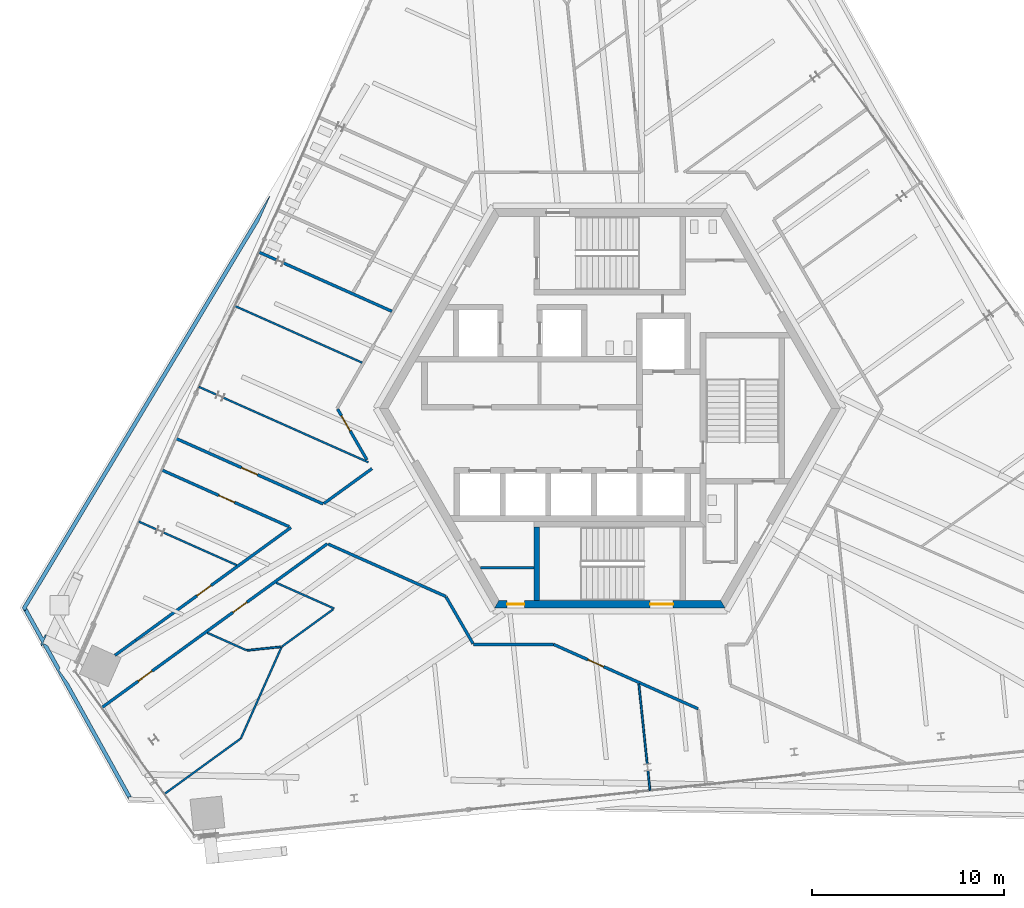
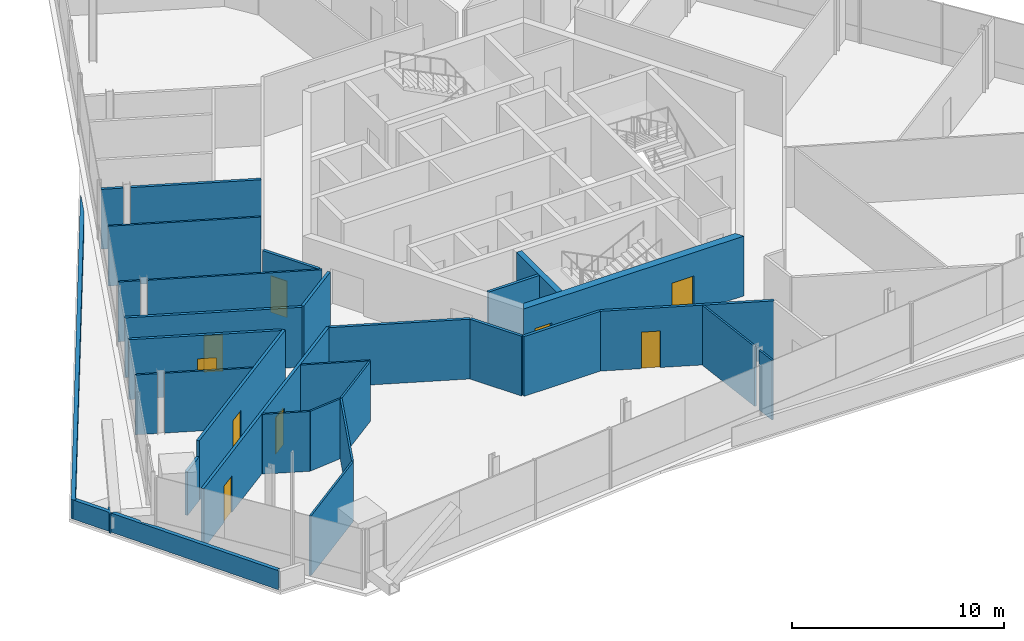
# One storey, part 13 of 21: 31 walls, 9 doors, 9 openings.
"""IFC4 building model written with IfcOpenShell, lengths in metres."""

from ifc_helpers import new_model, si_unit, direction, frame, frame_2d, origin, place, context, subcontext, project, spatial, polyline, rectangle, outline, extrude, source, transform, mapped, material, layer, layer_set, type_object, element, fill, save


model = new_model("IFC4")

# Units and contexts
model_context = context("Model", 3, precision=1e-05, world=origin(), true_north=direction((0.0, 1.0)))
body_context = subcontext(model_context, "Body", "Model", "MODEL_VIEW")
ifc_project = project(units=[si_unit("LENGTHUNIT", "METRE"), si_unit("AREAUNIT", "SQUARE_METRE"), si_unit("VOLUMEUNIT", "CUBIC_METRE"), si_unit("PLANEANGLEUNIT", "RADIAN"), si_unit("MASSUNIT", "GRAM", prefix="KILO")], contexts=[model_context])

# Site, building, storey
site_placement = place(None, origin())
site = spatial("IfcSite", under=ifc_project, at=site_placement, CompositionType="ELEMENT")
building_placement = place(site_placement, origin())
building = spatial("IfcBuilding", under=site, at=building_placement, Name="Triune Harvest Tower", CompositionType="ELEMENT")
storey_placement = place(building_placement, frame((0.0, 0.0, 219.699951171875)))
storey = spatial("IfcBuildingStorey", under=building, at=storey_placement, Name="L57", CompositionType="ELEMENT", Elevation=219.699951171875)

# Wall
ifc_material_1 = material(Name="Gypsum board on steel studs", Category="steel")
ifc_layer_1 = layer(ifc_material_1, 0.14990234375)
ifc_layer_set_1 = layer_set([ifc_layer_1], Name="Gypsum board on steel studs")
wall_type_1 = type_object("IfcWallType", Name="Fire Partition 150 mm", PredefinedType="PARTITIONING", material=ifc_layer_set_1)
wall_1_placement = place(storey_placement, frame((-14.656982421875, -7.06884765625, 0.0), z_axis=(0.0, 0.0, 1.0), x_axis=(0.913555747431, -0.406713531047, 0.0)))
element("IfcWall", 1, at=wall_1_placement, inside=storey, type_object=wall_type_1, Name="Partition L57 019", PredefinedType="PARTITIONING", context=body_context, shape_type="SweptSolid", body=[
    extrude(rectangle(XDim=6.695556640625, YDim=0.14990234375, at=frame_2d((3.34765625, 0.0))), origin(), (0.0, 0.0, 1.0), 3.43994140625),
])

# Wall, opening, door
wall_2_placement = place(storey_placement, frame((-22.59326171875, -1.56494140625, 0.0), z_axis=(0.0, 0.0, 1.0), x_axis=(0.913551263516, -0.406723602621, 0.0)))
wall_2 = element("IfcWall", 2, at=wall_2_placement, inside=storey, type_object=wall_type_1, Name="Partition L57 021", PredefinedType="PARTITIONING", context=body_context, shape_type="SweptSolid", body=[
    extrude(rectangle(XDim=8.3994140625, YDim=0.14990234375, at=frame_2d((4.19970703125, 0.0))), origin(), (0.0, 0.0, 1.0), 3.43994140625),
])
opening_1_placement = place(wall_2_placement, frame((3.74951171875, 0.0, 0.0)))
opening_1 = element("IfcOpeningElement", 3, at=opening_1_placement, cuts=wall_2, Name="Opening L57-019", PredefinedType="OPENING", context=body_context, shape_type="SweptSolid", body=[
    extrude(rectangle(XDim=0.89990234375, YDim=2.10009765625, at=frame_2d((0.449951171875, 1.050048828125))), frame((0.0, 0.0849609375, 0.0), z_axis=(0.0, -1.0, 0.0), x_axis=(1.0, 0.0, 0.0)), (0.0, 0.0, 1.0), 0.169921875),
])
ifc_material_2 = material(Name="Timber and steel door set", Category="steel")
door_type_1 = type_object("IfcDoorType", Name="Single leaf door FD30 left hand 900 x 2100", OperationType="SINGLE_SWING_LEFT", PredefinedType="DOOR", material=ifc_material_2)
door_1_placement = place(opening_1_placement, origin())
door_1 = element("IfcDoor", 4, at=door_1_placement, inside=storey, type_object=door_type_1, Name="Door L57-019 Office 57.19", OperationType="SINGLE_SWING_LEFT", OverallHeight=2.10009765625, OverallWidth=0.89990234375, PredefinedType="DOOR", context=body_context, shape_type="SweptSolid", body=[
    extrude(rectangle(XDim=0.89990234375, YDim=2.10009765625, at=frame_2d((0.449951171875, 1.050048828125))), frame((0.0, 0.02490234375, 0.0), z_axis=(0.0, -1.0, 0.0), x_axis=(1.0, 0.0, 0.0)), (0.0, 0.0, 1.0), 0.050048828125),
])
fill(opening_1, door_1)

# Wall, openings, doors
wall_3_placement = place(storey_placement, frame((-26.452392578125, -15.585205078125, 0.0), z_axis=(0.0, 0.0, 1.0), x_axis=(0.809011496706, 0.58779281911, 0.0)))
wall_3 = element("IfcWall", 5, at=wall_3_placement, inside=storey, type_object=wall_type_1, Name="Partition L57 048", PredefinedType="PARTITIONING", context=body_context, shape_type="SweptSolid", body=[
    extrude(rectangle(XDim=14.523681640625, YDim=0.14990234375, at=frame_2d((7.26171875, 0.0))), origin(), (0.0, 0.0, 1.0), 3.43994140625),
])
opening_2_placement = place(wall_3_placement, frame((8.4453125, 0.0, 0.0)))
opening_2 = element("IfcOpeningElement", 6, at=opening_2_placement, cuts=wall_3, Name="Opening L57-021", PredefinedType="OPENING", context=body_context, shape_type="SweptSolid", body=[
    extrude(rectangle(XDim=0.89990234375, YDim=2.10009765625, at=frame_2d((0.449951171875, 1.050048828125))), frame((0.0, 0.0849609375, 0.0), z_axis=(0.0, -1.0, 0.0), x_axis=(1.0, 0.0, 0.0)), (0.0, 0.0, 1.0), 0.169921875),
])
opening_3_placement = place(wall_3_placement, frame((2.349853515625, 0.0, 0.0)))
opening_3 = element("IfcOpeningElement", 7, at=opening_3_placement, cuts=wall_3, Name="Opening L57-022", PredefinedType="OPENING", context=body_context, shape_type="SweptSolid", body=[
    extrude(rectangle(XDim=0.89990234375, YDim=2.10009765625, at=frame_2d((0.449951171875, 1.050048828125))), frame((0.0, 0.0849609375, 0.0), z_axis=(0.0, -1.0, 0.0), x_axis=(1.0, 0.0, 0.0)), (0.0, 0.0, 1.0), 0.169921875),
])
door_2_placement = place(opening_2_placement, origin())
door_2 = element("IfcDoor", 8, at=door_2_placement, inside=storey, type_object=door_type_1, Name="Door L57-021 Pantry 57.21", OperationType="SINGLE_SWING_LEFT", OverallHeight=2.10009765625, OverallWidth=0.89990234375, PredefinedType="DOOR", context=body_context, shape_type="SweptSolid", body=[
    extrude(rectangle(XDim=0.89990234375, YDim=2.10009765625, at=frame_2d((0.449951171875, 1.050048828125))), frame((0.0, 0.02490234375, 0.0), z_axis=(0.0, -1.0, 0.0), x_axis=(1.0, 0.0, 0.0)), (0.0, 0.0, 1.0), 0.050048828125),
])
fill(opening_2, door_2)
ifc_material_3 = material(Name="Timber and steel door set", Category="steel")
door_type_2 = type_object("IfcDoorType", Name="Single leaf door FD30 right hand 900 x 2100", OperationType="SINGLE_SWING_RIGHT", PredefinedType="DOOR", material=ifc_material_3)
door_3_placement = place(opening_3_placement, origin())
door_3 = element("IfcDoor", 9, at=door_3_placement, inside=storey, type_object=door_type_2, Name="Door L57-022 Office 57.22", OperationType="SINGLE_SWING_RIGHT", OverallHeight=2.10009765625, OverallWidth=0.89990234375, PredefinedType="DOOR", context=body_context, shape_type="SweptSolid", body=[
    extrude(rectangle(XDim=0.89990234375, YDim=2.10009765625, at=frame_2d((0.449951171875, 1.050048828125))), frame((0.0, 0.02490234375, 0.0), z_axis=(0.0, -1.0, 0.0), x_axis=(1.0, 0.0, 0.0)), (0.0, 0.0, 1.0), 0.050048828125),
])
fill(opening_3, door_3)

# Walls
ifc_material_4 = material(Name="Concrete 40 MPa", Category="concrete")
ifc_layer_2 = layer(ifc_material_4, 0.199951171875)
ifc_layer_set_2 = layer_set([ifc_layer_2], Name="Concrete 40 MPa")
wall_type_2 = type_object("IfcWallType", Name="PA-1 parapet 200", PredefinedType="PARAPET", material=ifc_layer_set_2)
wall_4_placement = place(storey_placement, origin())
element("IfcWall", 10, at=wall_4_placement, inside=storey, type_object=wall_type_2, Name="Parapet wedge L56 2.2", PredefinedType="PARAPET", context=body_context, shape_type="SweptSolid", body=[
    extrude(outline(polyline([(-17.72509765625, 11.03564453125), (-17.700439453125, 11.022705078125), (-18.275146484375, 9.731689453125), (-30.359619140625, -10.3798828125), (-30.348388671875, -10.39990234375), (-30.431396484375, -10.53857421875), (-30.534423828125, -10.476806640625), (-30.59033203125, -10.375732421875), (-17.72509765625, 11.03564453125)])), origin(), (0.0, 0.0, 1.0), 1.10009765625),
])
wall_5_placement = place(storey_placement, origin())
element("IfcWall", 11, at=wall_5_placement, inside=storey, type_object=wall_type_2, Name="Parapet wedge L56 2.3", PredefinedType="PARAPET", context=body_context, shape_type="SweptSolid", body=[
    extrude(outline(polyline([(-29.517578125, -12.23681640625), (-29.2685546875, -12.34765625), (-28.623779296875, -13.51123046875), (-28.676513671875, -13.6298828125), (-28.176025390625, -14.31884765625), (-24.90185546875, -20.2255859375), (-25.0634765625, -20.222900390625), (-25.065673828125, -20.3427734375), (-29.535888671875, -12.278076171875), (-29.5869140625, -12.392333984375), (-29.6328125, -12.309814453125), (-29.581787109375, -12.1953125), (-30.534423828125, -10.476806640625), (-30.431396484375, -10.53857421875), (-30.348388671875, -10.39990234375), (-29.47998046875, -11.966552734375), (-29.394775390625, -11.775390625), (-29.32568359375, -11.80615234375), (-29.517578125, -12.23681640625)])), origin(), (0.0, 0.0, 1.0), 1.10009765625),
])
ifc_material_5 = material(Name="Gypsum board on steel studs", Category="steel")
ifc_layer_3 = layer(ifc_material_5, 0.10009765625)
ifc_layer_set_3 = layer_set([ifc_layer_3], Name="Gypsum board on steel studs")
wall_type_3 = type_object("IfcWallType", Name="Partition 100 mm", PredefinedType="PARTITIONING", material=ifc_layer_set_3)
wall_6_placement = place(storey_placement, frame((-20.95361328125, -11.686279296875, 0.0), z_axis=(0.0, 0.0, 1.0), x_axis=(0.913529598776, -0.406772260804, 0.0)))
element("IfcWall", 12, at=wall_6_placement, inside=storey, type_object=wall_type_3, Name="Partition L57 014", PredefinedType="PARTITIONING", context=body_context, shape_type="SweptSolid", body=[
    extrude(rectangle(XDim=2.251220703125, YDim=0.10009765625, at=frame_2d((1.12548828125, 0.0))), origin(), (0.0, 0.0, 1.0), 3.43994140625),
])
wall_7_placement = place(storey_placement, frame((-19.5234375, 5.329833984375, 0.0), z_axis=(0.0, 0.0, 1.0), x_axis=(0.913545119324, -0.40673740295, 0.0)))
element("IfcWall", 13, at=wall_7_placement, inside=storey, type_object=wall_type_3, Name="Partition L57 025", PredefinedType="PARTITIONING", context=body_context, shape_type="SweptSolid", body=[
    extrude(rectangle(XDim=7.260498046875, YDim=0.10009765625, at=frame_2d((3.63037109375, 0.0))), origin(), (0.0, 0.0, 1.0), 3.43994140625),
])
wall_8_placement = place(storey_placement, frame((-18.886962890625, -12.60107421875, 0.0), z_axis=(0.0, 0.0, 1.0), x_axis=(0.994521457809, 0.104532626286, 0.0)))
element("IfcWall", 14, at=wall_8_placement, inside=storey, type_object=wall_type_3, Name="Partition L57 039", PredefinedType="PARTITIONING", context=body_context, shape_type="SweptSolid", body=[
    extrude(rectangle(XDim=1.75390625, YDim=0.10009765625, at=frame_2d((0.876953125, 0.0))), origin(), (0.0, 0.0, 1.0), 3.43994140625),
])
wall_9_placement = place(storey_placement, frame((-23.1884765625, -20.077880859375, 0.0), z_axis=(0.0, 0.0, 1.0), x_axis=(0.809026308157, 0.587772432758, 0.0)))
element("IfcWall", 15, at=wall_9_placement, inside=storey, type_object=wall_type_3, Name="Partition L57 044", PredefinedType="PARTITIONING", context=body_context, shape_type="SweptSolid", body=[
    extrude(rectangle(XDim=4.9091796875, YDim=0.10009765625, at=frame_2d((2.45458984375, 0.0))), origin(), (0.0, 0.0, 1.0), 3.43994140625),
])
wall_10_placement = place(storey_placement, frame((-17.07470703125, -12.405517578125, 0.0), z_axis=(0.0, 0.0, 1.0), x_axis=(0.809049428978, 0.587740607301, 0.0)))
element("IfcWall", 16, at=wall_10_placement, inside=storey, type_object=wall_type_3, Name="Partition L57 045", PredefinedType="PARTITIONING", context=body_context, shape_type="SweptSolid", body=[
    extrude(rectangle(XDim=3.30078125, YDim=0.10009765625, at=frame_2d((1.650390625, 0.0))), origin(), (0.0, 0.0, 1.0), 3.43994140625),
])
wall_11_placement = place(storey_placement, frame((-19.209228515625, -17.18603515625, 0.0), z_axis=(0.0, 0.0, 1.0), x_axis=(0.406727761152, 0.913549412078, 0.0)))
element("IfcWall", 17, at=wall_11_placement, inside=storey, type_object=wall_type_3, Name="Partition L57 062", PredefinedType="PARTITIONING", context=body_context, shape_type="SweptSolid", body=[
    extrude(rectangle(XDim=5.22705078125, YDim=0.10009765625, at=frame_2d((2.613525390625, 0.0))), origin(), (0.0, 0.0, 1.0), 3.43994140625),
])

# Wall, openings, doors
ifc_material_6 = material(Name="Concrete 70 MPa", Category="concrete")
ifc_layer_4 = layer(ifc_material_6, 0.39990234375)
ifc_layer_set_4 = layer_set([ifc_layer_4], Name="Concrete 70 MPa")
wall_type_4 = type_object("IfcWallType", Name="Core wall 400", PredefinedType="SHEAR", material=ifc_layer_set_4)
shared_shape_1 = source(origin(), body_context, "Body", "SweptSolid", [
    extrude(outline(polyline([(-0.115478515625, -0.199951171875), (11.884521484375, -0.199951171875), (11.653564453125, 0.199951171875), (0.115478515625, 0.199951171875), (-0.115478515625, -0.199951171875)])), origin(), (0.0, 0.0, 1.0), 3.43994140625),
])
wall_12_placement = place(storey_placement, frame((-5.884521484375, -10.1923828125, 0.0), z_axis=(0.0, 0.0, 1.0), x_axis=(1.0, 0.0, 0.0)))
wall_12 = element("IfcWall", 18, at=wall_12_placement, inside=storey, type_object=wall_type_4, Name="Hexagon 4 wall", PredefinedType="SHEAR", context=body_context, shape_type="MappedRepresentation", body=[
    mapped(shared_shape_1, transform((0.0, 0.0, 0.0), scale=1.0)),
])
opening_4_placement = place(wall_12_placement, frame((7.984619140625, 0.0, 0.0)))
opening_4 = element("IfcOpeningElement", 19, at=opening_4_placement, cuts=wall_12, Name="Opening CD-S2P", PredefinedType="OPENING", context=body_context, shape_type="SweptSolid", body=[
    extrude(rectangle(XDim=1.199951171875, YDim=2.10009765625, at=frame_2d((0.60009765625, 1.050048828125))), frame((0.0, 0.2099609375, 0.0), z_axis=(0.0, -1.0, 0.0), x_axis=(1.0, 0.0, 0.0)), (0.0, 0.0, 1.0), 0.419921875),
])
opening_5_placement = place(wall_12_placement, frame((0.534423828125, 0.0, 0.0)))
opening_5 = element("IfcOpeningElement", 20, at=opening_5_placement, cuts=wall_12, Name="Opening CD-SWS", PredefinedType="OPENING", context=body_context, shape_type="SweptSolid", body=[
    extrude(rectangle(XDim=0.89990234375, YDim=2.10009765625, at=frame_2d((0.449951171875, 1.050048828125))), frame((0.0, 0.2099609375, 0.0), z_axis=(0.0, -1.0, 0.0), x_axis=(1.0, 0.0, 0.0)), (0.0, 0.0, 1.0), 0.419921875),
])
ifc_material_7 = material(Name="Steel S235", Category="steel")
door_type_3 = type_object("IfcDoorType", Name="Riser door 900 FD120", OperationType="SINGLE_SWING_LEFT", PredefinedType="DOOR", material=ifc_material_7)
door_4_placement = place(opening_5_placement, frame((0.89990234375, 0.0, 0.0), z_axis=(0.0, 0.0, 1.0), x_axis=(-1.0, 0.0, 0.0)))
door_4 = element("IfcDoor", 21, at=door_4_placement, inside=storey, type_object=door_type_3, Name="Door CD-SWS", OperationType="SINGLE_SWING_RIGHT", OverallHeight=2.10009765625, OverallWidth=0.89990234375, PredefinedType="DOOR", context=body_context, shape_type="SweptSolid", body=[
    extrude(rectangle(XDim=0.89990234375, YDim=2.10009765625, at=frame_2d((0.449951171875, 1.050048828125))), frame((0.0, 0.02490234375, 0.0), z_axis=(0.0, -1.0, 0.0), x_axis=(1.0, 0.0, 0.0)), (0.0, 0.0, 1.0), 0.050048828125),
])
fill(opening_5, door_4)
ifc_material_8 = material(Name="Steel S235", Category="steel")
door_type_4 = type_object("IfcDoorType", Name="Stair door 1200 FD120", OperationType="SINGLE_SWING_LEFT", PredefinedType="DOOR", material=ifc_material_8)
door_5_placement = place(opening_4_placement, frame((1.199951171875, 0.0, 0.0), z_axis=(0.0, 0.0, 1.0), x_axis=(-1.0, 0.0, 0.0)))
door_5 = element("IfcDoor", 22, at=door_5_placement, inside=storey, type_object=door_type_4, Name="Door CD-S2P", OperationType="SINGLE_SWING_RIGHT", OverallHeight=2.10009765625, OverallWidth=1.199951171875, PredefinedType="DOOR", context=body_context, shape_type="SweptSolid", body=[
    extrude(rectangle(XDim=1.199951171875, YDim=2.10009765625, at=frame_2d((0.60009765625, 1.050048828125))), frame((0.0, 0.02490234375, 0.0), z_axis=(0.0, -1.0, 0.0), x_axis=(1.0, 0.0, 0.0)), (0.0, 0.0, 1.0), 0.050048828125),
])
fill(opening_4, door_5)

# Walls
ifc_material_9 = material(Name="Concrete 70 MPa", Category="concrete")
ifc_layer_5 = layer(ifc_material_9, 0.300048828125)
ifc_layer_set_5 = layer_set([ifc_layer_5], Name="Concrete 70 MPa")
wall_type_5 = type_object("IfcWallType", Name="Core wall 300", PredefinedType="SHEAR", material=ifc_layer_set_5)
shared_shape_2 = source(origin(), body_context, "Body", "SweptSolid", [
    extrude(outline(polyline([(3.800048828125, -0.14990234375), (-0.00439453125, -0.14990234375), (-0.00439453125, 0.14990234375), (3.800048828125, 0.14990234375), (3.800048828125, -0.14990234375)])), origin(), (0.0, 0.0, 1.0), 3.43994140625),
])
wall_13_placement = place(storey_placement, frame((-3.800048828125, -9.989990234375, 0.0), z_axis=(0.0, 0.0, 1.0), x_axis=(0.0, 1.0, 0.0)))
element("IfcWall", 23, at=wall_13_placement, inside=storey, type_object=wall_type_5, Name="Stair s west wall", PredefinedType="SHEAR", context=body_context, shape_type="MappedRepresentation", body=[
    mapped(shared_shape_2, transform((0.0, 0.0, 0.0), scale=1.0)),
])
ifc_material_10 = material(Name="Concrete masonry unit", Category="masonry")
ifc_layer_6 = layer(ifc_material_10, 0.14990234375)
ifc_layer_set_6 = layer_set([ifc_layer_6], Name="Concrete masonry unit")
wall_type_6 = type_object("IfcWallType", Name="Block partition 150", PredefinedType="PARTITIONING", material=ifc_layer_set_6)
shared_shape_3 = source(origin(), body_context, "Body", "SweptSolid", [
    extrude(rectangle(XDim=2.777099609375, YDim=0.14990234375, at=frame_2d((1.388671875, 0.0))), origin(), (0.0, 0.0, 1.0), 3.43994140625),
])
wall_14_placement = place(storey_placement, frame((-6.72705078125, -8.300048828125, 0.0), z_axis=(0.0, 0.0, 1.0), x_axis=(1.0, 0.0, 0.0)))
element("IfcWall", 24, at=wall_14_placement, inside=storey, type_object=wall_type_6, Name="Sw part wall", PredefinedType="PARTITIONING", context=body_context, shape_type="MappedRepresentation", body=[
    mapped(shared_shape_3, transform((0.0, 0.0, 0.0), scale=1.0)),
])
shared_shape_4 = source(origin(), body_context, "Body", "SweptSolid", [
    extrude(rectangle(XDim=4.189697265625, YDim=0.10009765625, at=frame_2d((2.0947265625, 0.0))), origin(), (0.0, 0.0, 1.0), 3.43994140625),
])
wall_15_placement = place(storey_placement, frame((1.50927734375, -14.351318359375, 0.0), z_axis=(0.0, 0.0, 1.0), x_axis=(0.104596818531, -0.994514708565, 0.0)))
element("IfcWall", 25, at=wall_15_placement, inside=storey, type_object=wall_type_3, Name="Partition L57 002", PredefinedType="PARTITIONING", context=body_context, shape_type="MappedRepresentation", body=[
    mapped(shared_shape_4, transform((0.0, 0.0, 0.0), scale=1.0)),
])
shared_shape_5 = source(origin(), body_context, "Body", "SweptSolid", [
    extrude(rectangle(XDim=1.0478515625, YDim=0.10009765625, at=frame_2d((0.52392578125, 0.0))), origin(), (0.0, 0.0, 1.0), 3.43994140625),
])
for number, where, z_axis, x_axis, name in (
    (26, (1.982421875, -18.851806640625, 0.0), (0.0, 0.0, 1.0), (0.104624136351, -0.994511835069, 0.0), "Partition L57 003"),
    (27, (-21.397705078125, 1.12060546875, 0.0), (0.0, 0.0, 1.0), (0.913609658968, -0.406592413899, 0.0), "Partition L57 023"),
):
    element("IfcWall", number, at=place(storey_placement, frame(where, z_axis=z_axis, x_axis=x_axis)), inside=storey, type_object=wall_type_3, Name=name, PredefinedType="PARTITIONING", context=body_context, shape_type="MappedRepresentation", body=[
        mapped(shared_shape_5, transform((0.0, 0.0, 0.0), scale=1.0)),
    ])

# Wall, opening, door
shared_shape_6 = source(origin(), body_context, "Body", "SweptSolid", [
    extrude(rectangle(XDim=3.042724609375, YDim=0.14990234375, at=frame_2d((1.521484375, 0.0))), origin(), (0.0, 0.0, 1.0), 3.43994140625),
])
wall_16_placement = place(storey_placement, frame((-14.1689453125, -0.04345703125, 0.0), z_axis=(0.0, 0.0, 1.0), x_axis=(0.500039629421, -0.866002522519, 0.0)))
wall_16 = element("IfcWall", 28, at=wall_16_placement, inside=storey, type_object=wall_type_1, Name="Partition L57 009", PredefinedType="PARTITIONING", context=body_context, shape_type="MappedRepresentation", body=[
    mapped(shared_shape_6, transform((0.0, 0.0, 0.0), scale=1.0)),
])
opening_6_placement = place(wall_16_placement, frame((0.39990234375, 0.0, 0.0)))
opening_6 = element("IfcOpeningElement", 29, at=opening_6_placement, cuts=wall_16, Name="Opening L57-016", PredefinedType="OPENING", context=body_context, shape_type="SweptSolid", body=[
    extrude(rectangle(XDim=0.89990234375, YDim=2.10009765625, at=frame_2d((0.449951171875, 1.050048828125))), frame((0.0, 0.0849609375, 0.0), z_axis=(0.0, -1.0, 0.0), x_axis=(1.0, 0.0, 0.0)), (0.0, 0.0, 1.0), 0.169921875),
])
door_6_placement = place(opening_6_placement, origin())
door_6 = element("IfcDoor", 30, at=door_6_placement, inside=storey, type_object=door_type_2, Name="Door L57-016 Meeting Room 57.16", OperationType="SINGLE_SWING_RIGHT", OverallHeight=2.10009765625, OverallWidth=0.89990234375, PredefinedType="DOOR", context=body_context, shape_type="SweptSolid", body=[
    extrude(rectangle(XDim=0.89990234375, YDim=2.10009765625, at=frame_2d((0.449951171875, 1.050048828125))), frame((0.0, 0.02490234375, 0.0), z_axis=(0.0, -1.0, 0.0), x_axis=(1.0, 0.0, 0.0)), (0.0, 0.0, 1.0), 0.050048828125),
])
fill(opening_6, door_6)

# Walls
shared_shape_7 = source(origin(), body_context, "Body", "SweptSolid", [
    extrude(rectangle(XDim=2.80712890625, YDim=0.14990234375, at=frame_2d((1.403564453125, 0.0))), origin(), (0.0, 0.0, 1.0), 3.43994140625),
])
wall_17_placement = place(storey_placement, frame((-8.525390625, -9.818115234375, 0.0), z_axis=(0.0, 0.0, 1.0), x_axis=(0.500021093737, -0.866013224967, 0.0)))
element("IfcWall", 31, at=wall_17_placement, inside=storey, type_object=wall_type_1, Name="Partition L57 010", PredefinedType="PARTITIONING", context=body_context, shape_type="MappedRepresentation", body=[
    mapped(shared_shape_7, transform((0.0, 0.0, 0.0), scale=1.0)),
])
shared_shape_8 = source(origin(), body_context, "Body", "SweptSolid", [
    extrude(rectangle(XDim=1.047607421875, YDim=0.10009765625, at=frame_2d((0.52392578125, 0.0))), origin(), (0.0, 0.0, 1.0), 3.43994140625),
])
wall_18_placement = place(storey_placement, frame((-24.52099609375, -5.89501953125, 0.0), z_axis=(0.0, 0.0, 1.0), x_axis=(0.91357112701, -0.406678983835, 0.0)))
element("IfcWall", 32, at=wall_18_placement, inside=storey, type_object=wall_type_3, Name="Partition L57 015", PredefinedType="PARTITIONING", context=body_context, shape_type="MappedRepresentation", body=[
    mapped(shared_shape_8, transform((0.0, 0.0, 0.0), scale=1.0)),
])
shared_shape_9 = source(origin(), body_context, "Body", "SweptSolid", [
    extrude(rectangle(XDim=4.18994140625, YDim=0.10009765625, at=frame_2d((2.094970703125, 0.0))), origin(), (0.0, 0.0, 1.0), 3.43994140625),
])
wall_19_placement = place(storey_placement, frame((-23.25732421875, -6.45751953125, 0.0), z_axis=(0.0, 0.0, 1.0), x_axis=(0.913530200231, -0.406770910053, 0.0)))
element("IfcWall", 33, at=wall_19_placement, inside=storey, type_object=wall_type_3, Name="Partition L57 016", PredefinedType="PARTITIONING", context=body_context, shape_type="MappedRepresentation", body=[
    mapped(shared_shape_9, transform((0.0, 0.0, 0.0), scale=1.0)),
])
shared_shape_10 = source(origin(), body_context, "Body", "SweptSolid", [
    extrude(rectangle(XDim=3.3046875, YDim=0.10009765625, at=frame_2d((1.65234375, 0.0))), origin(), (0.0, 0.0, 1.0), 3.43994140625),
])
wall_20_placement = place(storey_placement, frame((-17.366943359375, -9.080078125, 0.0), z_axis=(0.0, 0.0, 1.0), x_axis=(0.913537165463, -0.406755267106, 0.0)))
element("IfcWall", 34, at=wall_20_placement, inside=storey, type_object=wall_type_3, Name="Partition L57 017", PredefinedType="PARTITIONING", context=body_context, shape_type="MappedRepresentation", body=[
    mapped(shared_shape_10, transform((0.0, 0.0, 0.0), scale=1.0)),
])

# Wall, opening, door
shared_shape_11 = source(origin(), body_context, "Body", "SweptSolid", [
    extrude(rectangle(XDim=7.250244140625, YDim=0.14990234375, at=frame_2d((3.625, 0.0))), origin(), (0.0, 0.0, 1.0), 3.43994140625),
])
wall_21_placement = place(storey_placement, frame((-23.32568359375, -3.209228515625, 0.0), z_axis=(0.0, 0.0, 1.0), x_axis=(0.913546136193, -0.406735119022, 0.0)))
wall_21 = element("IfcWall", 35, at=wall_21_placement, inside=storey, type_object=wall_type_1, Name="Partition L57 018", PredefinedType="PARTITIONING", context=body_context, shape_type="MappedRepresentation", body=[
    mapped(shared_shape_11, transform((0.0, 0.0, 0.0), scale=1.0)),
])
opening_7_placement = place(wall_21_placement, frame((3.25, 0.0, 0.0)))
opening_7 = element("IfcOpeningElement", 36, at=opening_7_placement, cuts=wall_21, Name="Opening L57-018", PredefinedType="OPENING", context=body_context, shape_type="SweptSolid", body=[
    extrude(rectangle(XDim=0.89990234375, YDim=2.10009765625, at=frame_2d((0.449951171875, 1.050048828125))), frame((0.0, 0.0849609375, 0.0), z_axis=(0.0, -1.0, 0.0), x_axis=(1.0, 0.0, 0.0)), (0.0, 0.0, 1.0), 0.169921875),
])
door_7_placement = place(opening_7_placement, origin())
door_7 = element("IfcDoor", 37, at=door_7_placement, inside=storey, type_object=door_type_1, Name="Door L57-018 Meeting Room 57.18", OperationType="SINGLE_SWING_LEFT", OverallHeight=2.10009765625, OverallWidth=0.89990234375, PredefinedType="DOOR", context=body_context, shape_type="SweptSolid", body=[
    extrude(rectangle(XDim=0.89990234375, YDim=2.10009765625, at=frame_2d((0.449951171875, 1.050048828125))), frame((0.0, 0.02490234375, 0.0), z_axis=(0.0, -1.0, 0.0), x_axis=(1.0, 0.0, 0.0)), (0.0, 0.0, 1.0), 0.050048828125),
])
fill(opening_7, door_7)

shared_shape_12 = source(origin(), body_context, "Body", "SweptSolid", [
    extrude(rectangle(XDim=8.2373046875, YDim=0.14990234375, at=frame_2d((4.11865234375, 0.0))), origin(), (0.0, 0.0, 1.0), 3.43994140625),
])
wall_22_placement = place(storey_placement, frame((-2.925048828125, -12.292236328125, 0.0), z_axis=(0.0, 0.0, 1.0), x_axis=(0.913548582705, -0.406729623997, 0.0)))
wall_22 = element("IfcWall", 38, at=wall_22_placement, inside=storey, type_object=wall_type_1, Name="Partition L57 020", PredefinedType="PARTITIONING", context=body_context, shape_type="MappedRepresentation", body=[
    mapped(shared_shape_12, transform((0.0, 0.0, 0.0), scale=1.0)),
])
opening_8_placement = place(wall_22_placement, frame((1.9501953125, 0.0, 0.0)))
opening_8 = element("IfcOpeningElement", 39, at=opening_8_placement, cuts=wall_22, Name="Opening L57-023", PredefinedType="OPENING", context=body_context, shape_type="SweptSolid", body=[
    extrude(rectangle(XDim=0.89990234375, YDim=2.10009765625, at=frame_2d((0.449951171875, 1.050048828125))), frame((0.0, 0.0849609375, 0.0), z_axis=(0.0, -1.0, 0.0), x_axis=(1.0, 0.0, 0.0)), (0.0, 0.0, 1.0), 0.169921875),
])
door_8_placement = place(opening_8_placement, origin())
door_8 = element("IfcDoor", 40, at=door_8_placement, inside=storey, type_object=door_type_2, Name="Door L57-023 Open Office 57.23", OperationType="SINGLE_SWING_RIGHT", OverallHeight=2.10009765625, OverallWidth=0.89990234375, PredefinedType="DOOR", context=body_context, shape_type="SweptSolid", body=[
    extrude(rectangle(XDim=0.89990234375, YDim=2.10009765625, at=frame_2d((0.449951171875, 1.050048828125))), frame((0.0, 0.02490234375, 0.0), z_axis=(0.0, -1.0, 0.0), x_axis=(1.0, 0.0, 0.0)), (0.0, 0.0, 1.0), 0.050048828125),
])
fill(opening_8, door_8)

# Walls
shared_shape_13 = source(origin(), body_context, "Body", "SweptSolid", [
    extrude(rectangle(XDim=8.277099609375, YDim=0.10009765625, at=frame_2d((4.138671875, 0.0))), origin(), (0.0, 0.0, 1.0), 3.43994140625),
])
wall_23_placement = place(storey_placement, frame((-20.1337890625, 0.55810546875, 0.0), z_axis=(0.0, 0.0, 1.0), x_axis=(0.913541324014, -0.40674592723, 0.0)))
element("IfcWall", 41, at=wall_23_placement, inside=storey, type_object=wall_type_3, Name="Partition L57 024", PredefinedType="PARTITIONING", context=body_context, shape_type="MappedRepresentation", body=[
    mapped(shared_shape_13, transform((0.0, 0.0, 0.0), scale=1.0)),
])
shared_shape_14 = source(origin(), body_context, "Body", "SweptSolid", [
    extrude(rectangle(XDim=1.047607421875, YDim=0.14990234375, at=frame_2d((0.52392578125, 0.0))), origin(), (0.0, 0.0, 1.0), 3.43994140625),
])
wall_24_placement = place(storey_placement, frame((-18.27392578125, 8.136474609375, 0.0), z_axis=(0.0, 0.0, 1.0), x_axis=(0.913484527974, -0.406873465776, 0.0)))
element("IfcWall", 42, at=wall_24_placement, inside=storey, type_object=wall_type_1, Name="Partition L57 026", PredefinedType="PARTITIONING", context=body_context, shape_type="MappedRepresentation", body=[
    mapped(shared_shape_14, transform((0.0, 0.0, 0.0), scale=1.0)),
])
shared_shape_15 = source(origin(), body_context, "Body", "SweptSolid", [
    extrude(rectangle(XDim=6.2001953125, YDim=0.14990234375, at=frame_2d((3.10009765625, 0.0))), origin(), (0.0, 0.0, 1.0), 3.43994140625),
])
wall_25_placement = place(storey_placement, frame((-17.01025390625, 7.57373046875, 0.0), z_axis=(0.0, 0.0, 1.0), x_axis=(0.913535295957, -0.406759465829, 0.0)))
element("IfcWall", 43, at=wall_25_placement, inside=storey, type_object=wall_type_1, Name="Partition L57 027", PredefinedType="PARTITIONING", context=body_context, shape_type="MappedRepresentation", body=[
    mapped(shared_shape_15, transform((0.0, 0.0, 0.0), scale=1.0)),
])
shared_shape_16 = source(origin(), body_context, "Body", "SweptSolid", [
    extrude(rectangle(XDim=4.162109375, YDim=0.14990234375, at=frame_2d((2.0810546875, 0.0))), origin(), (0.0, 0.0, 1.0), 3.43994140625),
])
wall_26_placement = place(storey_placement, frame((-7.096923828125, -12.292236328125, 0.0), z_axis=(0.0, 0.0, 1.0), x_axis=(1.0, 0.0, 0.0)))
element("IfcWall", 44, at=wall_26_placement, inside=storey, type_object=wall_type_1, Name="Partition L57 035", PredefinedType="PARTITIONING", context=body_context, shape_type="MappedRepresentation", body=[
    mapped(shared_shape_16, transform((0.0, 0.0, 0.0), scale=1.0)),
])
shared_shape_17 = source(origin(), body_context, "Body", "SweptSolid", [
    extrude(rectangle(XDim=1.33837890625, YDim=0.14990234375, at=frame_2d((0.669189453125, 0.0))), origin(), (0.0, 0.0, 1.0), 2.525634765625),
])
wall_27_placement = place(storey_placement, frame((-25.76025390625, -12.857421875, 0.0), z_axis=(0.0, 0.0, 1.0), x_axis=(0.809035740831, 0.587759449145, 0.0)))
element("IfcWall", 45, at=wall_27_placement, inside=storey, type_object=wall_type_1, Name="Partition L57 050", PredefinedType="PARTITIONING", context=body_context, shape_type="MappedRepresentation", body=[
    mapped(shared_shape_17, transform((0.0, 0.0, 0.0), scale=1.0)),
])

# Wall, opening, door
shared_shape_18 = source(origin(), body_context, "Body", "SweptSolid", [
    extrude(rectangle(XDim=9.982666015625, YDim=0.14990234375, at=frame_2d((4.9912109375, 0.0))), origin(), (0.0, 0.0, 1.0), 3.43994140625),
])
wall_28_placement = place(storey_placement, frame((-24.677490234375, -12.07080078125, 0.0), z_axis=(0.0, 0.0, 1.0), x_axis=(0.808997226616, 0.587812459316, 0.0)))
wall_28 = element("IfcWall", 46, at=wall_28_placement, inside=storey, type_object=wall_type_1, Name="Partition L57 050a", PredefinedType="PARTITIONING", context=body_context, shape_type="MappedRepresentation", body=[
    mapped(shared_shape_18, transform((0.0, 0.0, 0.0), scale=1.0)),
])
opening_9_placement = place(wall_28_placement, frame((3.938232421875, 0.0, 0.0)))
opening_9 = element("IfcOpeningElement", 47, at=opening_9_placement, cuts=wall_28, Name="Opening L57-020", PredefinedType="OPENING", context=body_context, shape_type="SweptSolid", body=[
    extrude(rectangle(XDim=0.89990234375, YDim=2.10009765625, at=frame_2d((0.449951171875, 1.050048828125))), frame((0.0, 0.0849609375, 0.0), z_axis=(0.0, -1.0, 0.0), x_axis=(1.0, 0.0, 0.0)), (0.0, 0.0, 1.0), 0.169921875),
])
door_9_placement = place(opening_9_placement, origin())
door_9 = element("IfcDoor", 48, at=door_9_placement, inside=storey, type_object=door_type_2, Name="Door L57-020 Pantry 57.20", OperationType="SINGLE_SWING_RIGHT", OverallHeight=2.10009765625, OverallWidth=0.89990234375, PredefinedType="DOOR", context=body_context, shape_type="SweptSolid", body=[
    extrude(rectangle(XDim=0.89990234375, YDim=2.10009765625, at=frame_2d((0.449951171875, 1.050048828125))), frame((0.0, 0.02490234375, 0.0), z_axis=(0.0, -1.0, 0.0), x_axis=(1.0, 0.0, 0.0)), (0.0, 0.0, 1.0), 0.050048828125),
])
fill(opening_9, door_9)

# Wall
shared_shape_19 = source(origin(), body_context, "Body", "SweptSolid", [
    extrude(rectangle(XDim=3.086669921875, YDim=0.14990234375, at=frame_2d((1.54345703125, 0.0))), origin(), (0.0, 0.0, 1.0), 3.43994140625),
])
wall_29_placement = place(storey_placement, frame((-14.879638671875, -4.951904296875, 0.0), z_axis=(0.0, 0.0, 1.0), x_axis=(0.809047214606, 0.587743655464, 0.0)))
element("IfcWall", 49, at=wall_29_placement, inside=storey, type_object=wall_type_1, Name="Partition L57 051", PredefinedType="PARTITIONING", context=body_context, shape_type="MappedRepresentation", body=[
    mapped(shared_shape_19, transform((0.0, 0.0, 0.0), scale=1.0)),
])

save(model, "model.ifc")
